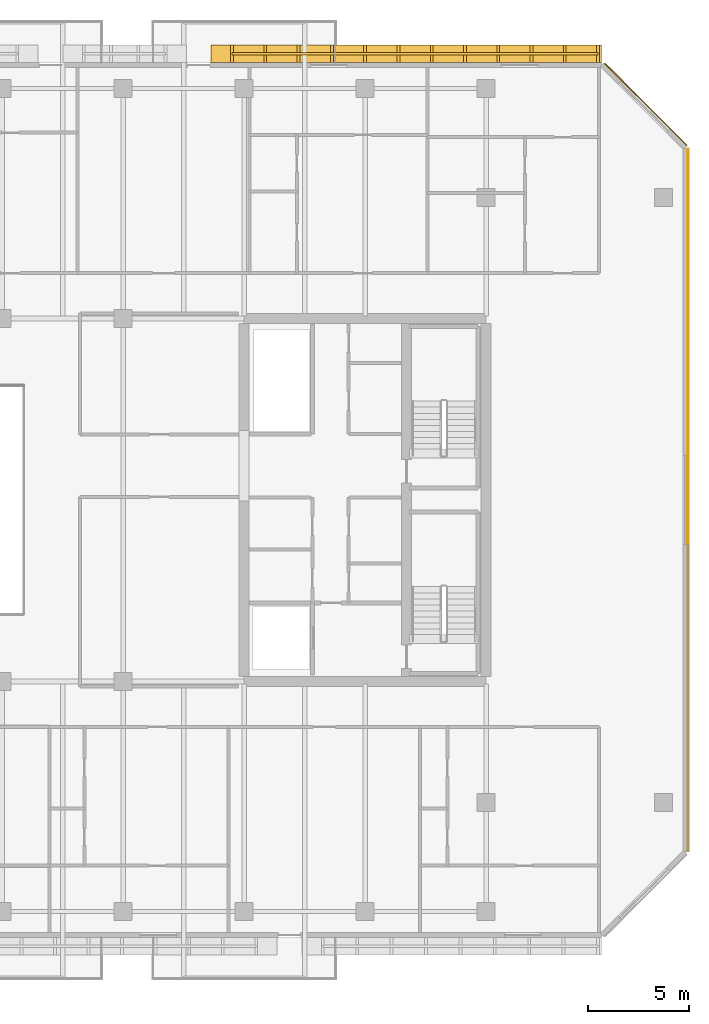
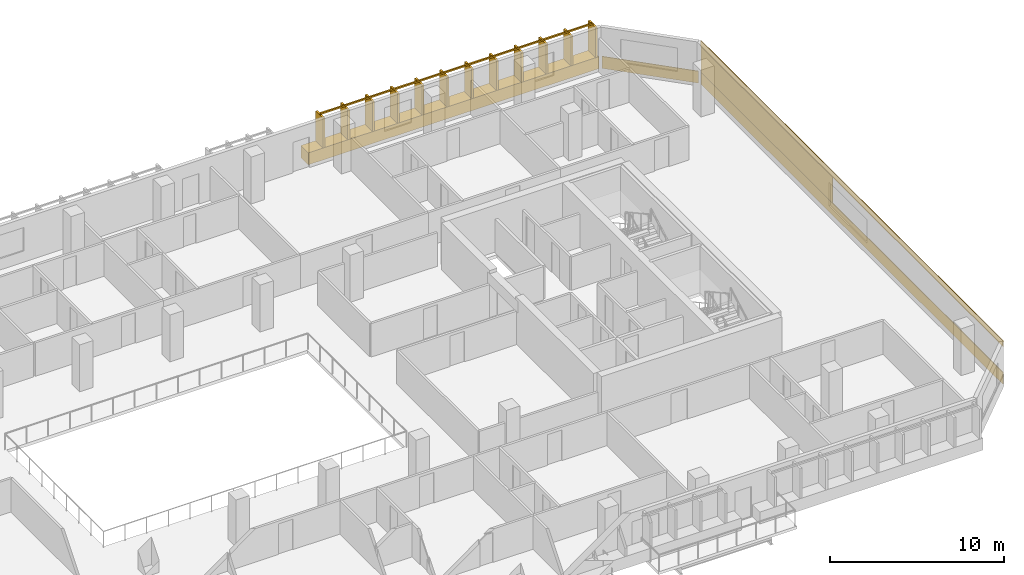
# One storey, part 20 of 20: 5 coverings, 1 railing.
"""IFC4 building model written with IfcOpenShell, lengths in metres."""

from ifc_helpers import new_model, si_unit, direction, frame, origin, origin_2d, place, context, subcontext, project, spatial, rectangle, extrude, material, layer, layer_set, type_object, element, save


model = new_model("IFC4")

# Units and contexts
model_context = context("Model", 3, precision=1e-05, world=origin(), true_north=direction((0.0, 1.0)))
body_context = subcontext(model_context, "Body", "Model", "MODEL_VIEW")
ifc_project = project(units=[si_unit("LENGTHUNIT", "METRE"), si_unit("AREAUNIT", "SQUARE_METRE"), si_unit("VOLUMEUNIT", "CUBIC_METRE"), si_unit("PLANEANGLEUNIT", "RADIAN"), si_unit("MASSUNIT", "GRAM", prefix="KILO")], contexts=[model_context])

# Site, building, storey
site_placement = place(None, origin())
site = spatial("IfcSite", under=ifc_project, at=site_placement, CompositionType="ELEMENT")
building_placement = place(site_placement, origin())
building = spatial("IfcBuilding", under=site, at=building_placement, Name="Tanjung Sevakor Pilgrim Tower", CompositionType="ELEMENT")
storey_placement = place(building_placement, frame((0.0, 0.0, 141.89990234375)))
storey = spatial("IfcBuildingStorey", under=building, at=storey_placement, Name="L39", CompositionType="ELEMENT", Elevation=141.89990234375)

# Coverings
ifc_material_1 = material(Name="Reconstructed Limestone Cladding", Category="masonry")
ifc_layer = layer(ifc_material_1, 0.044921875)
ifc_layer_set = layer_set([ifc_layer], Name="COV-CLAD-LIMESTONE")
covering_type = type_object("IfcCoveringType", Name="COV-CLAD-LIMESTONE", PredefinedType="CLADDING", material=ifc_layer_set)
covering_1_placement = place(storey_placement, frame((100.0224609375, 33.60009765625, 0.01025390625), z_axis=(0.0, 0.0, 1.0), x_axis=(0.0, 1.0, 0.0)))
element("IfcCovering", 1, at=covering_1_placement, inside=storey, type_object=covering_type, Name="L39 Warm Limestone Sill Spandrel EW-L39-MAIN-7-1", PredefinedType="CLADDING", context=body_context, shape_type="SweptSolid", body=[
    extrude(rectangle(XDim=34.81640625, YDim=0.044921875, at=origin_2d()), origin(), (0.0, 0.0, 1.0), 0.840087890625),
])
covering_2_placement = place(storey_placement, frame((100.0224609375, 33.60009765625, 2.66015625), z_axis=(0.0, 0.0, 1.0), x_axis=(0.0, 1.0, 0.0)))
element("IfcCovering", 2, at=covering_2_placement, inside=storey, type_object=covering_type, Name="L39 Warm Limestone Cornice Spandrel EW-L39-MAIN-7", PredefinedType="CLADDING", context=body_context, shape_type="SweptSolid", body=[
    extrude(rectangle(XDim=34.8564453125, YDim=0.044921875, at=origin_2d()), origin(), (0.0, 0.0, 1.0), 0.409912109375),
])
covering_3_placement = place(storey_placement, frame((100.0224609375, 43.42919921875, 0.85009765625), z_axis=(0.0, 0.0, 1.0), x_axis=(0.0, 1.0, 0.0)))
element("IfcCovering", 3, at=covering_3_placement, inside=storey, type_object=covering_type, Name="L39 Warm Limestone Pier Panel EW-L39-MAIN-7-2", PredefinedType="CLADDING", context=body_context, shape_type="SweptSolid", body=[
    extrude(rectangle(XDim=15.158203125, YDim=0.044921875, at=origin_2d()), origin(), (0.0, 0.0, 1.0), 1.81005859375),
])
covering_4_placement = place(storey_placement, frame((97.916015625, 53.2158203125, 0.01025390625), z_axis=(0.0, 0.0, 1.0), x_axis=(-0.707106781187, 0.707106781187, 0.0)))
element("IfcCovering", 4, at=covering_4_placement, inside=storey, type_object=covering_type, Name="L39 Warm Limestone Sill Spandrel EW-CHM-L39-MAIN-7-1", PredefinedType="CLADDING", context=body_context, shape_type="SweptSolid", body=[
    extrude(rectangle(XDim=5.756103515625, YDim=0.044921875, at=origin_2d()), origin(), (0.0, 0.0, 1.0), 0.840087890625),
])
covering_5_placement = place(storey_placement, frame((86.0341796875, 55.72998046875, 0.01025390625), z_axis=(0.0, 0.0, 1.0), x_axis=(-1.0, 0.0, 0.0)))
element("IfcCovering", 5, at=covering_5_placement, inside=storey, type_object=covering_type, Name="L39 Warm Limestone Sill Spandrel EW-L39-MAIN-9-1", PredefinedType="CLADDING", context=body_context, shape_type="SweptSolid", body=[
    extrude(rectangle(XDim=19.34814453125, YDim=0.860107421875, at=origin_2d()), origin(), (0.0, 0.0, 1.0), 0.840087890625),
])

# Railing
ifc_material_2 = material(Name="Anodised Bronze Aluminium 6063-T6", Category="aluminium")
railing_type = type_object("IfcRailingType", Name="RL-FIN-SCREEN", PredefinedType="BALUSTRADE", material=ifc_material_2)
railing_placement = place(storey_placement, frame((95.548095703125, 55.72509765625, 0.840087890625)))
element("IfcRailing", 6, at=railing_placement, inside=storey, type_object=railing_type, Name="L39 Vertical Bronze-Gold Solar Fin Screen FNSCR-EW-L39-MAIN-9-1", PredefinedType="BALUSTRADE", context=body_context, shape_type="SweptSolid", body=[
    extrude(rectangle(XDim=0.105, YDim=0.105), frame((0.0, 0.0, 2.157470703125), z_axis=(-1.0, 0.0, 0.0), x_axis=(0.0, -1.0, 0.0)), (0.0, 0.0, 1.0), 18.148193359375),
    extrude(rectangle(XDim=0.14, YDim=0.85), origin(), (0.0, 0.0, 1.0), 2.10498046875),
    extrude(rectangle(XDim=0.14, YDim=0.85), frame((-1.64990234375, 0.0, 0.0)), (0.0, 0.0, 1.0), 2.10498046875),
    extrude(rectangle(XDim=0.14, YDim=0.85), frame((-3.299560546875, 0.0, 0.0)), (0.0, 0.0, 1.0), 2.10498046875),
    extrude(rectangle(XDim=0.14, YDim=0.85), frame((-4.949462890625, 0.0, 0.0)), (0.0, 0.0, 1.0), 2.10498046875),
    extrude(rectangle(XDim=0.14, YDim=0.85), frame((-6.599365234375, 0.0, 0.0)), (0.0, 0.0, 1.0), 2.10498046875),
    extrude(rectangle(XDim=0.14, YDim=0.85), frame((-8.249267578125, 0.0, 0.0)), (0.0, 0.0, 1.0), 2.10498046875),
    extrude(rectangle(XDim=0.14, YDim=0.85), frame((-9.89892578125, 0.0, 0.0)), (0.0, 0.0, 1.0), 2.10498046875),
    extrude(rectangle(XDim=0.14, YDim=0.85), frame((-11.548828125, 0.0, 0.0)), (0.0, 0.0, 1.0), 2.10498046875),
    extrude(rectangle(XDim=0.14, YDim=0.85), frame((-13.19873046875, 0.0, 0.0)), (0.0, 0.0, 1.0), 2.10498046875),
    extrude(rectangle(XDim=0.14, YDim=0.85), frame((-14.8486328125, 0.0, 0.0)), (0.0, 0.0, 1.0), 2.10498046875),
    extrude(rectangle(XDim=0.14, YDim=0.85), frame((-16.498291015625, 0.0, 0.0)), (0.0, 0.0, 1.0), 2.10498046875),
    extrude(rectangle(XDim=0.14, YDim=0.85), frame((-18.148193359375, 0.0, 0.0)), (0.0, 0.0, 1.0), 2.10498046875),
])

save(model, "model.ifc")
